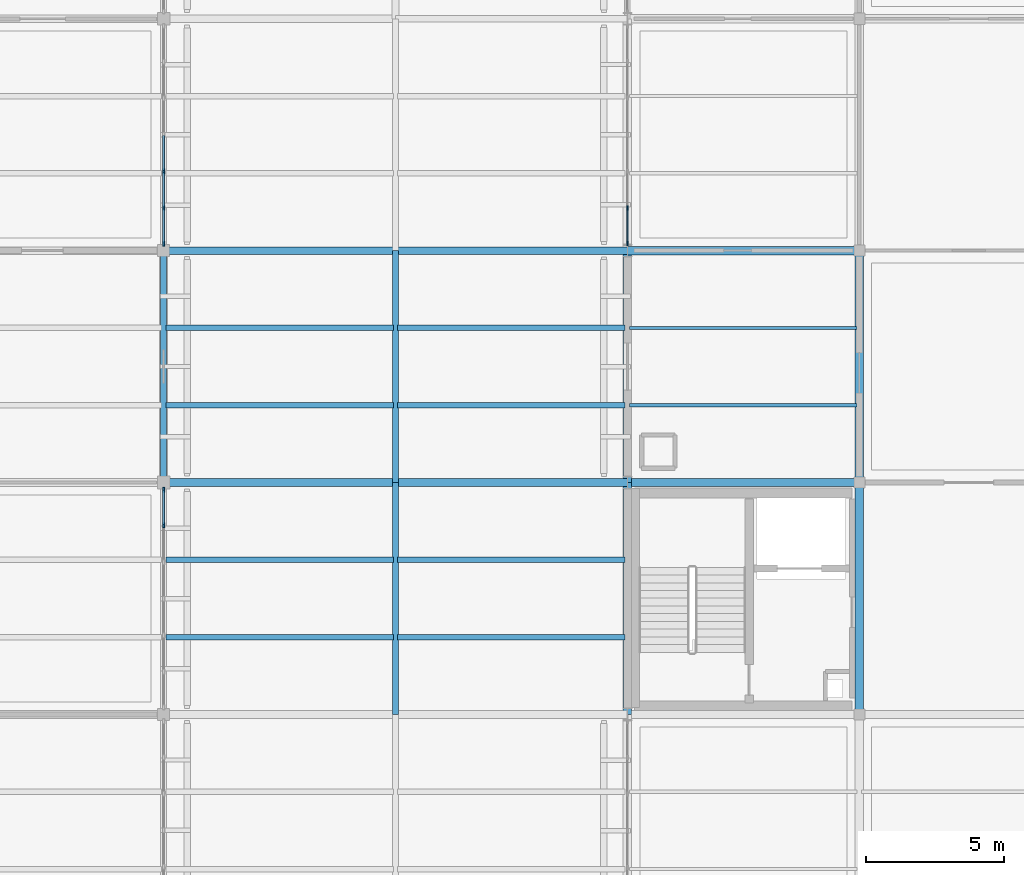
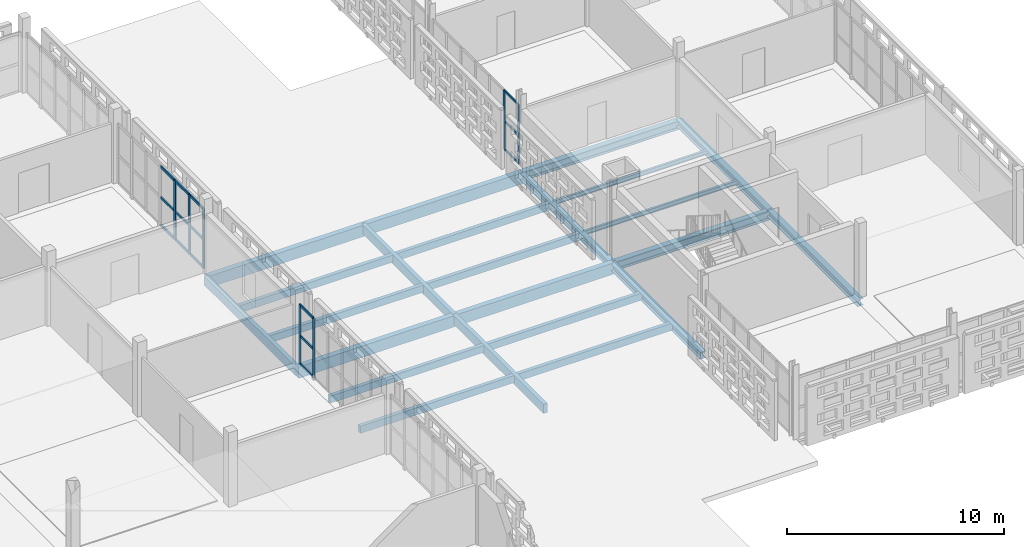
# One storey, part 40 of 166: 23 beams, 22 members, 3 elements without a shape of their own.
"""IFC4 building model written with IfcOpenShell, lengths in metres."""

from ifc_helpers import new_model, si_unit, direction, frame, origin, origin_2d, place, context, subcontext, project, spatial, rectangle, i_section, extrude, material, layer, layer_set, material_profile, profile_set, type_object, element, aggregate, save


model = new_model("IFC4")

# Units and contexts
model_context = context("Model", 3, precision=1e-05, world=origin(), true_north=direction((0.0, 1.0)))
body_context = subcontext(model_context, "Body", "Model", "MODEL_VIEW")
ifc_project = project(units=[si_unit("LENGTHUNIT", "METRE"), si_unit("AREAUNIT", "SQUARE_METRE"), si_unit("VOLUMEUNIT", "CUBIC_METRE"), si_unit("PLANEANGLEUNIT", "RADIAN"), si_unit("MASSUNIT", "GRAM", prefix="KILO")], contexts=[model_context])

# Site, building, storey
site_placement = place(None, origin())
site = spatial("IfcSite", under=ifc_project, at=site_placement, CompositionType="ELEMENT")
building_placement = place(site_placement, origin())
building = spatial("IfcBuilding", under=site, at=building_placement, Name="Varnapada Polytechnic", CompositionType="ELEMENT")
storey_placement = place(building_placement, frame((0.0, 0.0, 9.60009765625)))
storey = spatial("IfcBuildingStorey", under=building, at=storey_placement, Name="L02", CompositionType="ELEMENT", Elevation=9.60009765625)

# Beams
ifc_material_1 = material(Name="Glulam GL32h", Category="wood")
ifc_material_profile_1 = material_profile(ifc_material_1, rectangle(XDim=0.280029296875, YDim=0.639892578125, at=origin_2d()), Name="GL 280x640")
ifc_profile_set_1 = profile_set([ifc_material_profile_1], Name="Glulam GL32h")
beam_type_1 = type_object("IfcBeamType", Name="Laboratory primary glulam girder GG-02 (GL 280x640)", PredefinedType="BEAM", material=ifc_profile_set_1)
for number, where, z_axis, x_axis, name in (
    (1, (33.60009765625, 100.800048828125, -0.590087890625), (1.0, 0.0, 0.0), (0.0, 1.0, 0.0), "L02 beam X 5-6 at Y13"),
    (2, (33.60009765625, 109.199951171875, -0.590087890625), (1.0, 0.0, 0.0), (0.0, 1.0, 0.0), "L02 beam X 5-6 at Y14"),
    (3, (42.0, 100.800048828125, -0.590087890625), (1.0, 0.0, 0.0), (0.0, 1.0, 0.0), "L02 beam X 6-7 at Y13"),
    (4, (42.0, 109.199951171875, -0.590087890625), (1.0, 0.0, 0.0), (0.0, 1.0, 0.0), "L02 beam X 6-7 at Y14"),
):
    element("IfcBeam", number, at=place(storey_placement, frame(where, z_axis=z_axis, x_axis=x_axis)), inside=storey, type_object=beam_type_1, Name=name, PredefinedType="BEAM", context=body_context, shape_type="SweptSolid", body=[
        extrude(rectangle(XDim=0.280029296875, YDim=0.639892578125, at=origin_2d()), origin(), (0.0, 0.0, 1.0), 8.39990234375),
    ])
ifc_material_profile_2 = material_profile(ifc_material_1, rectangle(XDim=0.219970703125, YDim=0.52001953125, at=origin_2d()), Name="GL 220x520")
ifc_profile_set_2 = profile_set([ifc_material_profile_2], Name="Glulam GL32h")
beam_type_2 = type_object("IfcBeamType", Name="Laboratory transverse glulam beam GB-12 (GL 220x520)", PredefinedType="BEAM", material=ifc_profile_set_2)
beam_1_placement = place(storey_placement, frame((33.60009765625, 100.800048828125, -0.530029296875), z_axis=(0.0, 1.0, 0.0), x_axis=(-1.0, 0.0, 0.0)))
element("IfcBeam", 5, at=beam_1_placement, inside=storey, type_object=beam_type_2, Name="L02 beam Y 13-14 at X5", PredefinedType="BEAM", context=body_context, shape_type="SweptSolid", body=[
    extrude(rectangle(XDim=0.219970703125, YDim=0.52001953125, at=origin_2d()), origin(), (0.0, 0.0, 1.0), 8.39990234375),
])
beam_2_placement = place(storey_placement, frame((42.0, 92.39990234375, -0.530029296875), z_axis=(0.0, 1.0, 0.0), x_axis=(-1.0, 0.0, 0.0)))
element("IfcBeam", 6, at=beam_2_placement, inside=storey, type_object=beam_type_2, Name="L02 beam Y 12-13 at X6", PredefinedType="BEAM", context=body_context, shape_type="SweptSolid", body=[
    extrude(rectangle(XDim=0.219970703125, YDim=0.52001953125, at=origin_2d()), origin(), (0.0, 0.0, 1.0), 8.400146484375),
])
beam_3_placement = place(storey_placement, frame((42.0, 100.800048828125, -0.530029296875), z_axis=(0.0, 1.0, 0.0), x_axis=(-1.0, 0.0, 0.0)))
element("IfcBeam", 7, at=beam_3_placement, inside=storey, type_object=beam_type_2, Name="L02 beam Y 13-14 at X6", PredefinedType="BEAM", context=body_context, shape_type="SweptSolid", body=[
    extrude(rectangle(XDim=0.219970703125, YDim=0.52001953125, at=origin_2d()), origin(), (0.0, 0.0, 1.0), 8.39990234375),
])
ifc_material_profile_3 = material_profile(ifc_material_1, rectangle(XDim=0.199951171875, YDim=0.39990234375, at=origin_2d()), Name="GL 200x400")
ifc_profile_set_3 = profile_set([ifc_material_profile_3], Name="Glulam GL32h")
beam_type_3 = type_object("IfcBeamType", Name="Library/laboratory glulam floor joist GJ-01 (GL 200x400)", PredefinedType="JOIST", material=ifc_profile_set_3)
for number, where, z_axis, x_axis, name in (
    (8, (33.679931640625, 95.199951171875, -0.47021484375), (1.0, 0.0, 0.0), (0.0, 1.0, 0.0), "L02 floor joist 5/12.1"),
    (9, (33.679931640625, 98.0, -0.47021484375), (1.0, 0.0, 0.0), (0.0, 1.0, 0.0), "L02 floor joist 5/12.2"),
    (10, (33.679931640625, 103.60009765625, -0.47021484375), (1.0, 0.0, 0.0), (0.0, 1.0, 0.0), "L02 floor joist 5/13.1"),
    (11, (33.679931640625, 106.39990234375, -0.47021484375), (1.0, 0.0, 0.0), (0.0, 1.0, 0.0), "L02 floor joist 5/13.2"),
    (12, (42.080078125, 95.199951171875, -0.47021484375), (1.0, 0.0, 0.0), (0.0, 1.0, 0.0), "L02 floor joist 6/12.1"),
    (13, (42.080078125, 98.0, -0.47021484375), (1.0, 0.0, 0.0), (0.0, 1.0, 0.0), "L02 floor joist 6/12.2"),
    (14, (42.080078125, 103.60009765625, -0.47021484375), (1.0, 0.0, 0.0), (0.0, 1.0, 0.0), "L02 floor joist 6/13.1"),
    (15, (42.080078125, 106.39990234375, -0.47021484375), (1.0, 0.0, 0.0), (0.0, 1.0, 0.0), "L02 floor joist 6/13.2"),
):
    element("IfcBeam", number, at=place(storey_placement, frame(where, z_axis=z_axis, x_axis=x_axis)), inside=storey, type_object=beam_type_3, Name=name, PredefinedType="JOIST", context=body_context, shape_type="SweptSolid", body=[
        extrude(rectangle(XDim=0.199951171875, YDim=0.39990234375, at=origin_2d()), origin(), (0.0, 0.0, 1.0), 8.239990234375),
    ])

# Curtain wall, members
ifc_material_2 = material(Name="Double low-E laminated glass", Category="glass")
ifc_layer_1 = layer(ifc_material_2, 0.159912109375)
ifc_layer_set_1 = layer_set([ifc_layer_1], Name="Double low-E laminated glass")
curtain_wall_type_1 = type_object("IfcCurtainWallType", Name="Curtain Wall CW-02", PredefinedType="NOTDEFINED", material=ifc_layer_set_1)
curtain_wall_1_placement = place(storey_placement, origin())
curtain_wall_1 = element("IfcCurtainWall", 16, at=curtain_wall_1_placement, inside=storey, type_object=curtain_wall_type_1, Name="L02 unitised curtain wall CW-02 (160)", PredefinedType="NOTDEFINED")
ifc_material_3 = material(Name="Anodised aluminium", Category="aluminium")
ifc_material_profile_4 = material_profile(ifc_material_3, rectangle(XDim=0.06005859375, YDim=0.159912109375, at=origin_2d()), Name="ALU M60x160")
ifc_profile_set_4 = profile_set([ifc_material_profile_4], Name="Anodised aluminium")
member_type_1 = type_object("IfcMemberType", Name="Mullion M-01", PredefinedType="MULLION", material=ifc_profile_set_4)
member_1_placement = place(storey_placement, frame((50.39990234375, 109.455078125, 0.0), z_axis=(0.0, 0.0, 1.0), x_axis=(-1.0, 0.0, 0.0)))
member_1 = element("IfcMember", 17, at=member_1_placement, type_object=member_type_1, Name="CW-02 mullion 1", PredefinedType="MULLION", context=body_context, shape_type="SweptSolid", body=[
    extrude(rectangle(XDim=0.06005859375, YDim=0.159912109375, at=origin_2d()), origin(), (0.0, 0.0, 1.0), 3.35986328125),
])
member_2_placement = place(storey_placement, frame((50.39990234375, 110.75, 0.0), z_axis=(0.0, 0.0, 1.0), x_axis=(-1.0, 0.0, 0.0)))
member_2 = element("IfcMember", 18, at=member_2_placement, type_object=member_type_1, Name="CW-02 mullion 2", PredefinedType="MULLION", context=body_context, shape_type="SweptSolid", body=[
    extrude(rectangle(XDim=0.06005859375, YDim=0.159912109375, at=origin_2d()), origin(), (0.0, 0.0, 1.0), 3.35986328125),
])

ifc_layer_2 = layer(ifc_material_2, 0.179931640625)
ifc_layer_set_2 = layer_set([ifc_layer_2], Name="Double low-E laminated glass")
curtain_wall_type_2 = type_object("IfcCurtainWallType", Name="Curtain Wall CW-03", PredefinedType="NOTDEFINED", material=ifc_layer_set_2)
curtain_wall_2_placement = place(storey_placement, origin())
curtain_wall_2 = element("IfcCurtainWall", 19, at=curtain_wall_2_placement, inside=storey, type_object=curtain_wall_type_2, Name="L02 unitised curtain wall CW-03 (147)", PredefinedType="NOTDEFINED")
ifc_material_profile_5 = material_profile(ifc_material_3, rectangle(XDim=0.06494140625, YDim=0.179931640625, at=origin_2d()), Name="ALU M65x180")
ifc_profile_set_5 = profile_set([ifc_material_profile_5], Name="Anodised aluminium")
member_type_2 = type_object("IfcMemberType", Name="Mullion M-02", PredefinedType="MULLION", material=ifc_profile_set_5)
member_3_placement = place(storey_placement, frame((33.60009765625, 100.53759765625, 0.0), z_axis=(0.0, 0.0, 1.0), x_axis=(1.0, 0.0, 0.0)))
member_3 = element("IfcMember", 20, at=member_3_placement, type_object=member_type_2, Name="CW-03 mullion 1", PredefinedType="MULLION", context=body_context, shape_type="SweptSolid", body=[
    extrude(rectangle(XDim=0.06494140625, YDim=0.179931640625, at=origin_2d()), origin(), (0.0, 0.0, 1.0), 3.35986328125),
])
member_4_placement = place(storey_placement, frame((33.60009765625, 99.2451171875, 0.0), z_axis=(0.0, 0.0, 1.0), x_axis=(1.0, 0.0, 0.0)))
member_4 = element("IfcMember", 21, at=member_4_placement, type_object=member_type_2, Name="CW-03 mullion 2", PredefinedType="MULLION", context=body_context, shape_type="SweptSolid", body=[
    extrude(rectangle(XDim=0.06494140625, YDim=0.179931640625, at=origin_2d()), origin(), (0.0, 0.0, 1.0), 3.35986328125),
])

curtain_wall_3_placement = place(storey_placement, origin())
curtain_wall_3 = element("IfcCurtainWall", 22, at=curtain_wall_3_placement, inside=storey, type_object=curtain_wall_type_2, Name="L02 unitised curtain wall CW-03 (148)", PredefinedType="NOTDEFINED")
member_5_placement = place(storey_placement, frame((33.60009765625, 112.070068359375, 0.0), z_axis=(0.0, 0.0, 1.0), x_axis=(1.0, 0.0, 0.0)))
member_5 = element("IfcMember", 23, at=member_5_placement, type_object=member_type_2, Name="CW-03 mullion 5", PredefinedType="MULLION", context=body_context, shape_type="SweptSolid", body=[
    extrude(rectangle(XDim=0.06494140625, YDim=0.179931640625, at=origin_2d()), origin(), (0.0, 0.0, 1.0), 3.35986328125),
])
member_6_placement = place(storey_placement, frame((33.60009765625, 110.7451171875, 0.0), z_axis=(0.0, 0.0, 1.0), x_axis=(1.0, 0.0, 0.0)))
member_6 = element("IfcMember", 24, at=member_6_placement, type_object=member_type_2, Name="CW-03 mullion 6", PredefinedType="MULLION", context=body_context, shape_type="SweptSolid", body=[
    extrude(rectangle(XDim=0.06494140625, YDim=0.179931640625, at=origin_2d()), origin(), (0.0, 0.0, 1.0), 3.35986328125),
])
member_7_placement = place(storey_placement, frame((33.60009765625, 109.452392578125, 0.0), z_axis=(0.0, 0.0, 1.0), x_axis=(1.0, 0.0, 0.0)))
member_7 = element("IfcMember", 25, at=member_7_placement, type_object=member_type_2, Name="CW-03 mullion 7", PredefinedType="MULLION", context=body_context, shape_type="SweptSolid", body=[
    extrude(rectangle(XDim=0.06494140625, YDim=0.179931640625, at=origin_2d()), origin(), (0.0, 0.0, 1.0), 3.35986328125),
])

# Beams
ifc_material_4 = material(Name="Steel S355", Category="steel")
ifc_material_profile_6 = material_profile(ifc_material_4, i_section(OverallWidth=0.300048828125, OverallDepth=0.389892578125, WebThickness=0.010986328125, FlangeThickness=0.01904296875, FilletRadius=0.027099609375, at=origin_2d()), Name="HEA 400")
ifc_profile_set_6 = profile_set([ifc_material_profile_6], Name="Steel S355")
beam_type_4 = type_object("IfcBeamType", Name="Steel roof primary girder SG-01 (HEA 400)", PredefinedType="BEAM", material=ifc_profile_set_6)
beam_4_placement = place(storey_placement, frame((50.39990234375, 92.39990234375, -0.465087890625), z_axis=(0.0, 1.0, 0.0), x_axis=(-1.0, 0.0, 0.0)))
element("IfcBeam", 26, at=beam_4_placement, inside=storey, type_object=beam_type_4, Name="L02 beam Y 12-13 at X7", PredefinedType="BEAM", context=body_context, shape_type="SweptSolid", body=[
    extrude(i_section(OverallWidth=0.300048828125, OverallDepth=0.389892578125, WebThickness=0.010986328125, FlangeThickness=0.01904296875, FilletRadius=0.027099609375, at=origin_2d()), origin(), (0.0, 0.0, 1.0), 8.400146484375),
])
beam_5_placement = place(storey_placement, frame((50.39990234375, 100.800048828125, -0.465087890625), z_axis=(0.0, 1.0, 0.0), x_axis=(-1.0, 0.0, 0.0)))
element("IfcBeam", 27, at=beam_5_placement, inside=storey, type_object=beam_type_4, Name="L02 beam Y 13-14 at X7", PredefinedType="BEAM", context=body_context, shape_type="SweptSolid", body=[
    extrude(i_section(OverallWidth=0.300048828125, OverallDepth=0.389892578125, WebThickness=0.010986328125, FlangeThickness=0.01904296875, FilletRadius=0.027099609375, at=origin_2d()), origin(), (0.0, 0.0, 1.0), 8.39990234375),
])
beam_6_placement = place(storey_placement, frame((58.800048828125, 92.39990234375, -0.43505859375), z_axis=(0.0, 1.0, 0.0), x_axis=(-1.0, 0.0, 0.0)))
element("IfcBeam", 28, at=beam_6_placement, inside=storey, type_object=beam_type_4, Name="L02 beam Y 12-13 at X8", PredefinedType="BEAM", context=body_context, shape_type="SweptSolid", body=[
    extrude(i_section(OverallWidth=0.300048828125, OverallDepth=0.389892578125, WebThickness=0.010986328125, FlangeThickness=0.01904296875, FilletRadius=0.027099609375, at=origin_2d()), origin(), (0.0, 0.0, 1.0), 8.400146484375),
])
beam_7_placement = place(storey_placement, frame((58.800048828125, 100.800048828125, -0.43505859375), z_axis=(0.0, 1.0, 0.0), x_axis=(-1.0, 0.0, 0.0)))
element("IfcBeam", 29, at=beam_7_placement, inside=storey, type_object=beam_type_4, Name="L02 beam Y 13-14 at X8", PredefinedType="BEAM", context=body_context, shape_type="SweptSolid", body=[
    extrude(i_section(OverallWidth=0.300048828125, OverallDepth=0.389892578125, WebThickness=0.010986328125, FlangeThickness=0.01904296875, FilletRadius=0.027099609375, at=origin_2d()), origin(), (0.0, 0.0, 1.0), 8.39990234375),
])

# Member
ifc_material_profile_7 = material_profile(ifc_material_3, rectangle(XDim=0.06005859375, YDim=0.1201171875, at=origin_2d()), Name="ALU T60x120")
ifc_profile_set_7 = profile_set([ifc_material_profile_7], Name="Anodised aluminium")
member_type_3 = type_object("IfcMemberType", Name="Transom T-01", PredefinedType="USERDEFINED", material=ifc_profile_set_7)
member_8_placement = place(storey_placement, frame((50.39990234375, 109.485107421875, 0.02978515625), z_axis=(0.0, 1.0, 0.0), x_axis=(-1.0, 0.0, 0.0)))
member_8 = element("IfcMember", 30, at=member_8_placement, type_object=member_type_3, Name="CW-02 transom 1.1", ObjectType="TRANSOM", PredefinedType="USERDEFINED", context=body_context, shape_type="SweptSolid", body=[
    extrude(rectangle(XDim=0.06005859375, YDim=0.1201171875, at=origin_2d()), origin(), (0.0, 0.0, 1.0), 1.23486328125),
])

member_9_placement = place(storey_placement, frame((50.39990234375, 109.485107421875, 1.61279296875), z_axis=(0.0, 1.0, 0.0), x_axis=(-1.0, 0.0, 0.0)))
member_9 = element("IfcMember", 31, at=member_9_placement, type_object=member_type_3, Name="CW-02 transom 1.2", ObjectType="TRANSOM", PredefinedType="USERDEFINED", context=body_context, shape_type="SweptSolid", body=[
    extrude(rectangle(XDim=0.06005859375, YDim=0.1201171875, at=origin_2d()), origin(), (0.0, 0.0, 1.0), 1.23486328125),
])

member_10_placement = place(storey_placement, frame((50.39990234375, 109.485107421875, 3.329833984375), z_axis=(0.0, 1.0, 0.0), x_axis=(-1.0, 0.0, 0.0)))
member_10 = element("IfcMember", 32, at=member_10_placement, type_object=member_type_3, Name="CW-02 transom 1.3", ObjectType="TRANSOM", PredefinedType="USERDEFINED", context=body_context, shape_type="SweptSolid", body=[
    extrude(rectangle(XDim=0.06005859375, YDim=0.1201171875, at=origin_2d()), origin(), (0.0, 0.0, 1.0), 1.23486328125),
])

aggregate(curtain_wall_1, [member_1, member_2, member_8, member_9, member_10])

ifc_material_profile_8 = material_profile(ifc_material_3, rectangle(XDim=0.06494140625, YDim=0.139892578125, at=origin_2d()), Name="ALU T65x140")
ifc_profile_set_8 = profile_set([ifc_material_profile_8], Name="Anodised aluminium")
member_type_4 = type_object("IfcMemberType", Name="Transom T-02", PredefinedType="USERDEFINED", material=ifc_profile_set_8)
member_11_placement = place(storey_placement, frame((33.60009765625, 100.5048828125, 0.032470703125), z_axis=(0.0, -1.0, 0.0), x_axis=(1.0, 0.0, 0.0)))
member_11 = element("IfcMember", 33, at=member_11_placement, type_object=member_type_4, Name="CW-03 transom 1.1", ObjectType="TRANSOM", PredefinedType="USERDEFINED", context=body_context, shape_type="SweptSolid", body=[
    extrude(rectangle(XDim=0.06494140625, YDim=0.139892578125, at=origin_2d()), origin(), (0.0, 0.0, 1.0), 1.227294921875),
])

member_12_placement = place(storey_placement, frame((33.60009765625, 100.5048828125, 1.61279296875), z_axis=(0.0, -1.0, 0.0), x_axis=(1.0, 0.0, 0.0)))
member_12 = element("IfcMember", 34, at=member_12_placement, type_object=member_type_4, Name="CW-03 transom 1.2", ObjectType="TRANSOM", PredefinedType="USERDEFINED", context=body_context, shape_type="SweptSolid", body=[
    extrude(rectangle(XDim=0.06494140625, YDim=0.139892578125, at=origin_2d()), origin(), (0.0, 0.0, 1.0), 1.227294921875),
])

member_13_placement = place(storey_placement, frame((33.60009765625, 100.5048828125, 3.327392578125), z_axis=(0.0, -1.0, 0.0), x_axis=(1.0, 0.0, 0.0)))
member_13 = element("IfcMember", 35, at=member_13_placement, type_object=member_type_4, Name="CW-03 transom 1.3", ObjectType="TRANSOM", PredefinedType="USERDEFINED", context=body_context, shape_type="SweptSolid", body=[
    extrude(rectangle(XDim=0.06494140625, YDim=0.139892578125, at=origin_2d()), origin(), (0.0, 0.0, 1.0), 1.227294921875),
])

aggregate(curtain_wall_2, [member_3, member_4, member_11, member_12, member_13])

member_14_placement = place(storey_placement, frame((33.60009765625, 113.362548828125, 0.032470703125), z_axis=(0.0, -1.0, 0.0), x_axis=(1.0, 0.0, 0.0)))
member_14 = element("IfcMember", 36, at=member_14_placement, type_object=member_type_4, Name="CW-03 transom 4.1", ObjectType="TRANSOM", PredefinedType="USERDEFINED", context=body_context, shape_type="SweptSolid", body=[
    extrude(rectangle(XDim=0.06494140625, YDim=0.139892578125, at=origin_2d()), origin(), (0.0, 0.0, 1.0), 1.260009765625),
])

member_15_placement = place(storey_placement, frame((33.60009765625, 113.362548828125, 1.61279296875), z_axis=(0.0, -1.0, 0.0), x_axis=(1.0, 0.0, 0.0)))
member_15 = element("IfcMember", 37, at=member_15_placement, type_object=member_type_4, Name="CW-03 transom 4.2", ObjectType="TRANSOM", PredefinedType="USERDEFINED", context=body_context, shape_type="SweptSolid", body=[
    extrude(rectangle(XDim=0.06494140625, YDim=0.139892578125, at=origin_2d()), origin(), (0.0, 0.0, 1.0), 1.260009765625),
])

member_16_placement = place(storey_placement, frame((33.60009765625, 113.362548828125, 3.327392578125), z_axis=(0.0, -1.0, 0.0), x_axis=(1.0, 0.0, 0.0)))
member_16 = element("IfcMember", 38, at=member_16_placement, type_object=member_type_4, Name="CW-03 transom 4.3", ObjectType="TRANSOM", PredefinedType="USERDEFINED", context=body_context, shape_type="SweptSolid", body=[
    extrude(rectangle(XDim=0.06494140625, YDim=0.139892578125, at=origin_2d()), origin(), (0.0, 0.0, 1.0), 1.260009765625),
])

member_17_placement = place(storey_placement, frame((33.60009765625, 112.03759765625, 0.032470703125), z_axis=(0.0, -1.0, 0.0), x_axis=(1.0, 0.0, 0.0)))
member_17 = element("IfcMember", 39, at=member_17_placement, type_object=member_type_4, Name="CW-03 transom 5.1", ObjectType="TRANSOM", PredefinedType="USERDEFINED", context=body_context, shape_type="SweptSolid", body=[
    extrude(rectangle(XDim=0.06494140625, YDim=0.139892578125, at=origin_2d()), origin(), (0.0, 0.0, 1.0), 1.260009765625),
])

member_18_placement = place(storey_placement, frame((33.60009765625, 112.03759765625, 1.61279296875), z_axis=(0.0, -1.0, 0.0), x_axis=(1.0, 0.0, 0.0)))
member_18 = element("IfcMember", 40, at=member_18_placement, type_object=member_type_4, Name="CW-03 transom 5.2", ObjectType="TRANSOM", PredefinedType="USERDEFINED", context=body_context, shape_type="SweptSolid", body=[
    extrude(rectangle(XDim=0.06494140625, YDim=0.139892578125, at=origin_2d()), origin(), (0.0, 0.0, 1.0), 1.260009765625),
])

member_19_placement = place(storey_placement, frame((33.60009765625, 112.03759765625, 3.327392578125), z_axis=(0.0, -1.0, 0.0), x_axis=(1.0, 0.0, 0.0)))
member_19 = element("IfcMember", 41, at=member_19_placement, type_object=member_type_4, Name="CW-03 transom 5.3", ObjectType="TRANSOM", PredefinedType="USERDEFINED", context=body_context, shape_type="SweptSolid", body=[
    extrude(rectangle(XDim=0.06494140625, YDim=0.139892578125, at=origin_2d()), origin(), (0.0, 0.0, 1.0), 1.260009765625),
])

member_20_placement = place(storey_placement, frame((33.60009765625, 110.71240234375, 0.032470703125), z_axis=(0.0, -1.0, 0.0), x_axis=(1.0, 0.0, 0.0)))
member_20 = element("IfcMember", 42, at=member_20_placement, type_object=member_type_4, Name="CW-03 transom 6.1", ObjectType="TRANSOM", PredefinedType="USERDEFINED", context=body_context, shape_type="SweptSolid", body=[
    extrude(rectangle(XDim=0.06494140625, YDim=0.139892578125, at=origin_2d()), origin(), (0.0, 0.0, 1.0), 1.227294921875),
])

member_21_placement = place(storey_placement, frame((33.60009765625, 110.71240234375, 1.61279296875), z_axis=(0.0, -1.0, 0.0), x_axis=(1.0, 0.0, 0.0)))
member_21 = element("IfcMember", 43, at=member_21_placement, type_object=member_type_4, Name="CW-03 transom 6.2", ObjectType="TRANSOM", PredefinedType="USERDEFINED", context=body_context, shape_type="SweptSolid", body=[
    extrude(rectangle(XDim=0.06494140625, YDim=0.139892578125, at=origin_2d()), origin(), (0.0, 0.0, 1.0), 1.227294921875),
])

member_22_placement = place(storey_placement, frame((33.60009765625, 110.71240234375, 3.327392578125), z_axis=(0.0, -1.0, 0.0), x_axis=(1.0, 0.0, 0.0)))
member_22 = element("IfcMember", 44, at=member_22_placement, type_object=member_type_4, Name="CW-03 transom 6.3", ObjectType="TRANSOM", PredefinedType="USERDEFINED", context=body_context, shape_type="SweptSolid", body=[
    extrude(rectangle(XDim=0.06494140625, YDim=0.139892578125, at=origin_2d()), origin(), (0.0, 0.0, 1.0), 1.227294921875),
])

aggregate(curtain_wall_3, [member_5, member_6, member_7, member_14, member_15, member_16, member_17, member_18, member_19, member_20, member_21, member_22])

# Beams
ifc_material_profile_9 = material_profile(ifc_material_4, i_section(OverallWidth=0.1201171875, OverallDepth=0.239990234375, WebThickness=0.006103515625, FlangeThickness=0.009765625, FilletRadius=0.014892578125, at=origin_2d()), Name="IPE 240")
ifc_profile_set_9 = profile_set([ifc_material_profile_9], Name="Steel S355")
beam_type_5 = type_object("IfcBeamType", Name="Workshop gallery composite joist SJ-01 (IPE 240)", PredefinedType="JOIST", material=ifc_profile_set_9)
for number, where, z_axis, x_axis, name in (
    (45, (50.47998046875, 103.60009765625, -0.39013671875), (1.0, 0.0, 0.0), (0.0, 1.0, 0.0), "L02 floor joist 7/13.1"),
    (46, (50.47998046875, 106.39990234375, -0.39013671875), (1.0, 0.0, 0.0), (0.0, 1.0, 0.0), "L02 floor joist 7/13.2"),
):
    element("IfcBeam", number, at=place(storey_placement, frame(where, z_axis=z_axis, x_axis=x_axis)), inside=storey, type_object=beam_type_5, Name=name, PredefinedType="JOIST", context=body_context, shape_type="SweptSolid", body=[
        extrude(i_section(OverallWidth=0.1201171875, OverallDepth=0.239990234375, WebThickness=0.006103515625, FlangeThickness=0.009765625, FilletRadius=0.014892578125, at=origin_2d()), origin(), (0.0, 0.0, 1.0), 8.239990234375),
    ])
ifc_material_profile_10 = material_profile(ifc_material_4, i_section(OverallWidth=0.300048828125, OverallDepth=0.489990234375, WebThickness=0.011962890625, FlangeThickness=0.02294921875, FilletRadius=0.027099609375, at=origin_2d()), Name="HEA 500")
ifc_profile_set_10 = profile_set([ifc_material_profile_10], Name="Steel S355")
beam_type_6 = type_object("IfcBeamType", Name="Workshop gallery edge girder CR-02 (HEA 500)", PredefinedType="BEAM", material=ifc_profile_set_10)
for number, where, z_axis, x_axis, name in (
    (47, (50.39990234375, 100.800048828125, -0.51513671875), (1.0, 0.0, 0.0), (0.0, 1.0, 0.0), "L02 beam X 7-8 at Y13"),
    (48, (50.39990234375, 109.199951171875, -0.51513671875), (1.0, 0.0, 0.0), (0.0, 1.0, 0.0), "L02 beam X 7-8 at Y14"),
):
    element("IfcBeam", number, at=place(storey_placement, frame(where, z_axis=z_axis, x_axis=x_axis)), inside=storey, type_object=beam_type_6, Name=name, PredefinedType="BEAM", context=body_context, shape_type="SweptSolid", body=[
        extrude(i_section(OverallWidth=0.300048828125, OverallDepth=0.489990234375, WebThickness=0.011962890625, FlangeThickness=0.02294921875, FilletRadius=0.027099609375, at=origin_2d()), origin(), (0.0, 0.0, 1.0), 8.400146484375),
    ])

save(model, "model.ifc")
